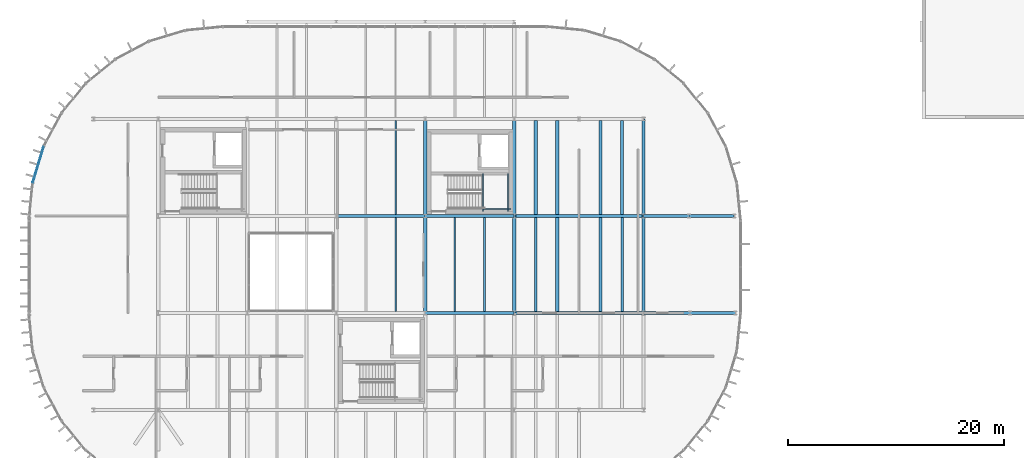
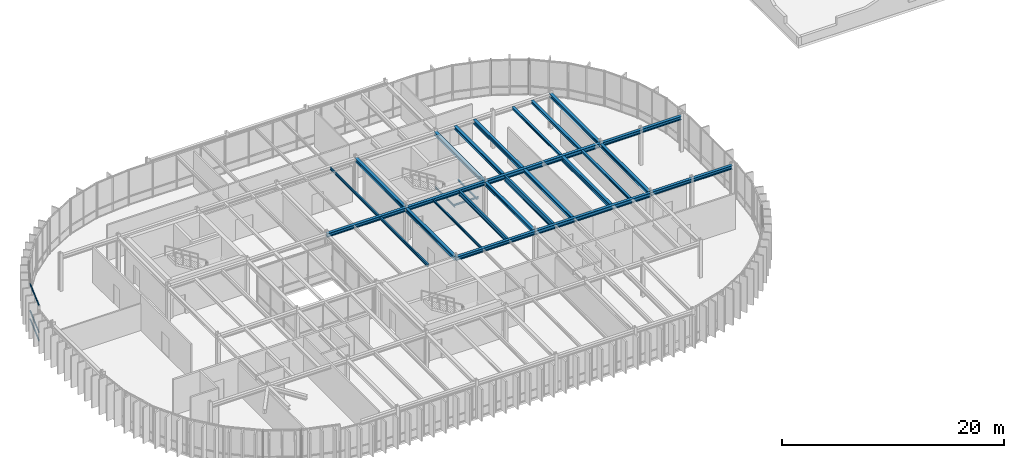
# One storey, part 11 of 27: 30 beams, 3 members, 1 element without a shape of its own.
"""IFC4 building model written with IfcOpenShell, lengths in metres."""

from ifc_helpers import new_model, si_unit, direction, frame, origin, origin_2d, place, context, subcontext, project, spatial, rectangle, i_section, extrude, material, layer, layer_set, material_profile, profile_set, type_object, element, aggregate, save


model = new_model("IFC4")

# Units and contexts
model_context = context("Model", 3, precision=1e-05, world=origin(), true_north=direction((0.0, 1.0)))
body_context = subcontext(model_context, "Body", "Model", "MODEL_VIEW")
ifc_project = project(units=[si_unit("LENGTHUNIT", "METRE"), si_unit("AREAUNIT", "SQUARE_METRE"), si_unit("VOLUMEUNIT", "CUBIC_METRE"), si_unit("PLANEANGLEUNIT", "RADIAN"), si_unit("MASSUNIT", "GRAM", prefix="KILO")], contexts=[model_context])

# Site, building, storey
site_placement = place(None, origin())
site = spatial("IfcSite", under=ifc_project, at=site_placement, CompositionType="ELEMENT")
building_placement = place(site_placement, origin())
building = spatial("IfcBuilding", under=site, at=building_placement, Name="Montealbar Specialist Clinic", CompositionType="ELEMENT")
storey_placement = place(building_placement, frame((0.0, 0.0, 18.0)))
storey = spatial("IfcBuildingStorey", under=building, at=storey_placement, Name="L04", CompositionType="ELEMENT", Elevation=18.0)

# Beams
ifc_material_1 = material(Name="Steel S355", Category="steel")
ifc_material_profile_1 = material_profile(ifc_material_1, i_section(OverallWidth=0.300048828125, OverallDepth=0.39990234375, WebThickness=0.013427734375, FlangeThickness=0.02392578125, FilletRadius=0.027099609375, at=origin_2d()), Name="HEB 400", Category="steel")
ifc_profile_set_1 = profile_set([ifc_material_profile_1], Name="Steel S355")
beam_type_1 = type_object("IfcBeamType", Name="BM-GIRD-HEB400", PredefinedType="BEAM", material=ifc_profile_set_1)
for number, where, z_axis, x_axis, name in (
    (1, (90.75, 18.0, 3.68994140625), (1.0, 0.0, 0.0), (0.0, 1.0, 0.0), "Beam GX-L04-908-990-180"),
    (2, (82.5, 27.0, 3.68994140625), (1.0, 0.0, 0.0), (0.0, 1.0, 0.0), "Beam GX-L04-825-908-270"),
    (3, (90.75, 27.0, 3.68994140625), (1.0, 0.0, 0.0), (0.0, 1.0, 0.0), "Beam GX-L04-908-990-270"),
):
    element("IfcBeam", number, at=place(storey_placement, frame(where, z_axis=z_axis, x_axis=x_axis)), inside=storey, type_object=beam_type_1, Name=name, PredefinedType="BEAM", context=body_context, shape_type="SweptSolid", body=[
        extrude(i_section(OverallWidth=0.300048828125, OverallDepth=0.39990234375, WebThickness=0.013427734375, FlangeThickness=0.02392578125, FilletRadius=0.027099609375, at=origin_2d()), origin(), (0.0, 0.0, 1.0), 8.25),
    ])
for number, where, z_axis, x_axis, name in (
    (4, (90.75, 18.0, 3.68994140625), (0.0, 1.0, 0.0), (-1.0, 0.0, 0.0), "Beam GY-L04-908-180-270"),
    (5, (90.75, 27.0, 3.68994140625), (0.0, 1.0, 0.0), (-1.0, 0.0, 0.0), "Beam GY-L04-908-270-360"),
    (6, (99.0, 18.0, 3.68994140625), (0.0, 1.0, 0.0), (-1.0, 0.0, 0.0), "Beam GY-L04-990-180-270"),
    (7, (99.0, 27.0, 3.68994140625), (0.0, 1.0, 0.0), (-1.0, 0.0, 0.0), "Beam GY-L04-990-270-360"),
):
    element("IfcBeam", number, at=place(storey_placement, frame(where, z_axis=z_axis, x_axis=x_axis)), inside=storey, type_object=beam_type_1, Name=name, PredefinedType="BEAM", context=body_context, shape_type="SweptSolid", body=[
        extrude(i_section(OverallWidth=0.300048828125, OverallDepth=0.39990234375, WebThickness=0.013427734375, FlangeThickness=0.02392578125, FilletRadius=0.027099609375, at=origin_2d()), origin(), (0.0, 0.0, 1.0), 9.0),
    ])
ifc_material_profile_2 = material_profile(ifc_material_1, i_section(OverallWidth=0.300048828125, OverallDepth=0.39990234375, WebThickness=0.013427734375, FlangeThickness=0.02392578125, FilletRadius=0.027099609375, at=origin_2d()), Name="HEB 400", Category="steel")
ifc_profile_set_2 = profile_set([ifc_material_profile_2], Name="Steel S355")
beam_type_2 = type_object("IfcBeamType", Name="BM-GIRD-HEB400-EXT", PredefinedType="BEAM", material=ifc_profile_set_2)
beam_1_placement = place(storey_placement, frame((111.0, 18.0, 3.72998046875), z_axis=(1.0, 0.0, 0.0), x_axis=(0.0, 1.0, 0.0)))
element("IfcBeam", 8, at=beam_1_placement, inside=storey, type_object=beam_type_2, Name="Beam GX-L04-1110-1153-180", PredefinedType="BEAM", context=body_context, shape_type="SweptSolid", body=[
    extrude(i_section(OverallWidth=0.300048828125, OverallDepth=0.39990234375, WebThickness=0.013427734375, FlangeThickness=0.02392578125, FilletRadius=0.027099609375, at=origin_2d()), origin(), (0.0, 0.0, 1.0), 4.300048828125),
])
for number, where, z_axis, x_axis, name in (
    (9, (115.300048828125, 18.0, 3.72998046875), (1.0, 0.0, 0.0), (0.0, 1.0, 0.0), "Beam GX-L04-1153-1195-180"),
    (10, (111.0, 27.0, 3.68994140625), (1.0, 0.0, 0.0), (0.0, 1.0, 0.0), "Beam GX-L04-1110-1152-270"),
    (11, (115.199951171875, 27.0, 3.72998046875), (1.0, 0.0, 0.0), (0.0, 1.0, 0.0), "Beam GX-L04-1152-1194-270"),
):
    element("IfcBeam", number, at=place(storey_placement, frame(where, z_axis=z_axis, x_axis=x_axis)), inside=storey, type_object=beam_type_2, Name=name, PredefinedType="BEAM", context=body_context, shape_type="SweptSolid", body=[
        extrude(i_section(OverallWidth=0.300048828125, OverallDepth=0.39990234375, WebThickness=0.013427734375, FlangeThickness=0.02392578125, FilletRadius=0.027099609375, at=origin_2d()), origin(), (0.0, 0.0, 1.0), 4.199951171875),
    ])
for number, where, z_axis, x_axis, name in (
    (12, (111.0, 18.0, 3.68994140625), (0.0, 1.0, 0.0), (-1.0, 0.0, 0.0), "Beam GY-L04-1110-180-270"),
    (13, (111.0, 27.0, 3.68994140625), (0.0, 1.0, 0.0), (-1.0, 0.0, 0.0), "Beam GY-L04-1110-270-360"),
):
    element("IfcBeam", number, at=place(storey_placement, frame(where, z_axis=z_axis, x_axis=x_axis)), inside=storey, type_object=beam_type_2, Name=name, PredefinedType="BEAM", context=body_context, shape_type="SweptSolid", body=[
        extrude(i_section(OverallWidth=0.300048828125, OverallDepth=0.39990234375, WebThickness=0.013427734375, FlangeThickness=0.02392578125, FilletRadius=0.027099609375, at=origin_2d()), origin(), (0.0, 0.0, 1.0), 9.0),
    ])
ifc_material_profile_3 = material_profile(ifc_material_1, i_section(OverallWidth=0.300048828125, OverallDepth=0.449951171875, WebThickness=0.013916015625, FlangeThickness=0.02587890625, FilletRadius=0.027099609375, at=origin_2d()), Name="HEB 450", Category="steel")
ifc_profile_set_3 = profile_set([ifc_material_profile_3], Name="Steel S355")
beam_type_3 = type_object("IfcBeamType", Name="BM-GIRD-HEB450", PredefinedType="BEAM", material=ifc_profile_set_3)
for number, where, z_axis, x_axis, name in (
    (14, (99.0, 18.0, 3.6650390625), (1.0, 0.0, 0.0), (0.0, 1.0, 0.0), "Beam GX-L04-990-1110-180"),
    (15, (99.0, 27.0, 3.6650390625), (1.0, 0.0, 0.0), (0.0, 1.0, 0.0), "Beam GX-L04-990-1110-270"),
):
    element("IfcBeam", number, at=place(storey_placement, frame(where, z_axis=z_axis, x_axis=x_axis)), inside=storey, type_object=beam_type_3, Name=name, PredefinedType="BEAM", context=body_context, shape_type="SweptSolid", body=[
        extrude(i_section(OverallWidth=0.300048828125, OverallDepth=0.449951171875, WebThickness=0.013916015625, FlangeThickness=0.02587890625, FilletRadius=0.027099609375, at=origin_2d()), origin(), (0.0, 0.0, 1.0), 12.0),
    ])
ifc_material_profile_4 = material_profile(ifc_material_1, i_section(OverallWidth=0.300048828125, OverallDepth=0.35009765625, WebThickness=0.010009765625, FlangeThickness=0.017578125, FilletRadius=0.027099609375, at=origin_2d()), Name="HEA 360", Category="steel")
ifc_profile_set_4 = profile_set([ifc_material_profile_4], Name="Steel S355")
beam_type_4 = type_object("IfcBeamType", Name="BM-JST-HEA360", PredefinedType="JOIST", material=ifc_profile_set_4)
for number, where, z_axis, x_axis, name in (
    (16, (103.0, 18.14990234375, 3.715087890625), (0.0, 1.0, 0.0), (-1.0, 0.0, 0.0), "Beam JST-L04-1030-182-268"),
    (17, (101.0, 27.14990234375, 3.715087890625), (0.0, 1.0, 0.0), (-1.0, 0.0, 0.0), "Beam JST-L04-1010-272-358"),
):
    element("IfcBeam", number, at=place(storey_placement, frame(where, z_axis=z_axis, x_axis=x_axis)), inside=storey, type_object=beam_type_4, Name=name, PredefinedType="JOIST", context=body_context, shape_type="SweptSolid", body=[
        extrude(i_section(OverallWidth=0.300048828125, OverallDepth=0.35009765625, WebThickness=0.010009765625, FlangeThickness=0.017578125, FilletRadius=0.027099609375, at=origin_2d()), origin(), (0.0, 0.0, 1.0), 8.7001953125),
    ])
ifc_material_profile_5 = material_profile(ifc_material_1, i_section(OverallWidth=0.300048828125, OverallDepth=0.43994140625, WebThickness=0.011474609375, FlangeThickness=0.02099609375, FilletRadius=0.027099609375, at=origin_2d()), Name="HEA 450", Category="steel")
ifc_profile_set_5 = profile_set([ifc_material_profile_5], Name="Steel S355")
beam_type_5 = type_object("IfcBeamType", Name="BM-JST-HEA450", PredefinedType="JOIST", material=ifc_profile_set_5)
beam_2_placement = place(storey_placement, frame((103.0, 27.14990234375, 3.669921875), z_axis=(0.0, 1.0, 0.0), x_axis=(-1.0, 0.0, 0.0)))
element("IfcBeam", 18, at=beam_2_placement, inside=storey, type_object=beam_type_5, Name="Beam JST-L04-1030-272-358", PredefinedType="JOIST", context=body_context, shape_type="SweptSolid", body=[
    extrude(i_section(OverallWidth=0.300048828125, OverallDepth=0.43994140625, WebThickness=0.011474609375, FlangeThickness=0.02099609375, FilletRadius=0.027099609375, at=origin_2d()), origin(), (0.0, 0.0, 1.0), 8.7001953125),
])
ifc_material_profile_6 = material_profile(ifc_material_1, i_section(OverallWidth=0.300048828125, OverallDepth=0.489990234375, WebThickness=0.011962890625, FlangeThickness=0.02294921875, FilletRadius=0.027099609375, at=origin_2d()), Name="HEA 500", Category="steel")
ifc_profile_set_6 = profile_set([ifc_material_profile_6], Name="Steel S355")
beam_type_6 = type_object("IfcBeamType", Name="BM-JST-HEA500", PredefinedType="JOIST", material=ifc_profile_set_6)
beam_3_placement = place(storey_placement, frame((107.0, 18.14990234375, 3.64501953125), z_axis=(0.0, 1.0, 0.0), x_axis=(-1.0, 0.0, 0.0)))
element("IfcBeam", 19, at=beam_3_placement, inside=storey, type_object=beam_type_6, Name="Beam JST-L04-1070-182-268", PredefinedType="JOIST", context=body_context, shape_type="SweptSolid", body=[
    extrude(i_section(OverallWidth=0.300048828125, OverallDepth=0.489990234375, WebThickness=0.011962890625, FlangeThickness=0.02294921875, FilletRadius=0.027099609375, at=origin_2d()), origin(), (0.0, 0.0, 1.0), 8.7001953125),
])
ifc_material_profile_7 = material_profile(ifc_material_1, i_section(OverallWidth=0.239990234375, OverallDepth=0.239990234375, WebThickness=0.010009765625, FlangeThickness=0.01708984375, FilletRadius=0.02099609375, at=origin_2d()), Name="HEB 240", Category="steel")
ifc_profile_set_7 = profile_set([ifc_material_profile_7], Name="Steel S355")
beam_type_7 = type_object("IfcBeamType", Name="BM-JST-HEB240", PredefinedType="JOIST", material=ifc_profile_set_7)
for number, where, z_axis, x_axis, name in (
    (20, (109.0, 18.14990234375, 3.77001953125), (0.0, 1.0, 0.0), (-1.0, 0.0, 0.0), "Beam JST-L04-1090-182-268"),
    (21, (107.0, 27.14990234375, 3.77001953125), (0.0, 1.0, 0.0), (-1.0, 0.0, 0.0), "Beam JST-L04-1070-272-358"),
):
    element("IfcBeam", number, at=place(storey_placement, frame(where, z_axis=z_axis, x_axis=x_axis)), inside=storey, type_object=beam_type_7, Name=name, PredefinedType="JOIST", context=body_context, shape_type="SweptSolid", body=[
        extrude(i_section(OverallWidth=0.239990234375, OverallDepth=0.239990234375, WebThickness=0.010009765625, FlangeThickness=0.01708984375, FilletRadius=0.02099609375, at=origin_2d()), origin(), (0.0, 0.0, 1.0), 8.7001953125),
    ])
ifc_material_profile_8 = material_profile(ifc_material_1, i_section(OverallWidth=0.280029296875, OverallDepth=0.280029296875, WebThickness=0.010498046875, FlangeThickness=0.01806640625, FilletRadius=0.02392578125, at=origin_2d()), Name="HEB 280", Category="steel")
ifc_profile_set_8 = profile_set([ifc_material_profile_8], Name="Steel S355")
beam_type_8 = type_object("IfcBeamType", Name="BM-JST-HEB280", PredefinedType="JOIST", material=ifc_profile_set_8)
beam_4_placement = place(storey_placement, frame((109.0, 27.14990234375, 3.75), z_axis=(0.0, 1.0, 0.0), x_axis=(-1.0, 0.0, 0.0)))
element("IfcBeam", 22, at=beam_4_placement, inside=storey, type_object=beam_type_8, Name="Beam JST-L04-1090-272-358", PredefinedType="JOIST", context=body_context, shape_type="SweptSolid", body=[
    extrude(i_section(OverallWidth=0.280029296875, OverallDepth=0.280029296875, WebThickness=0.010498046875, FlangeThickness=0.01806640625, FilletRadius=0.02392578125, at=origin_2d()), origin(), (0.0, 0.0, 1.0), 8.7001953125),
])
ifc_material_profile_9 = material_profile(ifc_material_1, i_section(OverallWidth=0.1201171875, OverallDepth=0.239990234375, WebThickness=0.006103515625, FlangeThickness=0.009765625, FilletRadius=0.014892578125, at=origin_2d()), Name="IPE 240", Category="steel")
ifc_profile_set_9 = profile_set([ifc_material_profile_9], Name="Steel S355")
beam_type_9 = type_object("IfcBeamType", Name="BM-JST-IPE240", PredefinedType="JOIST", material=ifc_profile_set_9)
beam_5_placement = place(storey_placement, frame((93.5, 18.14990234375, 3.77001953125), z_axis=(0.0, 1.0, 0.0), x_axis=(-1.0, 0.0, 0.0)))
element("IfcBeam", 23, at=beam_5_placement, inside=storey, type_object=beam_type_9, Name="Beam JST-L04-935-182-268", PredefinedType="JOIST", context=body_context, shape_type="SweptSolid", body=[
    extrude(i_section(OverallWidth=0.1201171875, OverallDepth=0.239990234375, WebThickness=0.006103515625, FlangeThickness=0.009765625, FilletRadius=0.014892578125, at=origin_2d()), origin(), (0.0, 0.0, 1.0), 8.7001953125),
])
ifc_material_profile_10 = material_profile(ifc_material_1, i_section(OverallWidth=0.135009765625, OverallDepth=0.27001953125, WebThickness=0.006591796875, FlangeThickness=0.01025390625, FilletRadius=0.014892578125, at=origin_2d()), Name="IPE 270", Category="steel")
ifc_profile_set_10 = profile_set([ifc_material_profile_10], Name="Steel S355")
beam_type_10 = type_object("IfcBeamType", Name="BM-JST-IPE270", PredefinedType="JOIST", material=ifc_profile_set_10)
beam_6_placement = place(storey_placement, frame((88.0, 27.14990234375, 3.7548828125), z_axis=(0.0, 1.0, 0.0), x_axis=(-1.0, 0.0, 0.0)))
element("IfcBeam", 24, at=beam_6_placement, inside=storey, type_object=beam_type_10, Name="Beam JST-L04-880-272-358", PredefinedType="JOIST", context=body_context, shape_type="SweptSolid", body=[
    extrude(i_section(OverallWidth=0.135009765625, OverallDepth=0.27001953125, WebThickness=0.006591796875, FlangeThickness=0.01025390625, FilletRadius=0.014892578125, at=origin_2d()), origin(), (0.0, 0.0, 1.0), 8.7001953125),
])
ifc_material_profile_11 = material_profile(ifc_material_1, i_section(OverallWidth=0.14990234375, OverallDepth=0.300048828125, WebThickness=0.007080078125, FlangeThickness=0.0107421875, FilletRadius=0.014892578125, at=origin_2d()), Name="IPE 300", Category="steel")
ifc_profile_set_11 = profile_set([ifc_material_profile_11], Name="Steel S355")
beam_type_11 = type_object("IfcBeamType", Name="BM-JST-IPE300", PredefinedType="JOIST", material=ifc_profile_set_11)
beam_7_placement = place(storey_placement, frame((88.0, 18.14990234375, 3.739990234375), z_axis=(0.0, 1.0, 0.0), x_axis=(-1.0, 0.0, 0.0)))
element("IfcBeam", 25, at=beam_7_placement, inside=storey, type_object=beam_type_11, Name="Beam JST-L04-880-182-268", PredefinedType="JOIST", context=body_context, shape_type="SweptSolid", body=[
    extrude(i_section(OverallWidth=0.14990234375, OverallDepth=0.300048828125, WebThickness=0.007080078125, FlangeThickness=0.0107421875, FilletRadius=0.014892578125, at=origin_2d()), origin(), (0.0, 0.0, 1.0), 8.7001953125),
])
ifc_material_profile_12 = material_profile(ifc_material_1, i_section(OverallWidth=0.199951171875, OverallDepth=0.5, WebThickness=0.01025390625, FlangeThickness=0.01611328125, FilletRadius=0.02099609375, at=origin_2d()), Name="IPE 500", Category="steel")
ifc_profile_set_12 = profile_set([ifc_material_profile_12], Name="Steel S355")
beam_type_12 = type_object("IfcBeamType", Name="BM-JST-IPE500", PredefinedType="JOIST", material=ifc_profile_set_12)
beam_8_placement = place(storey_placement, frame((96.25, 18.14990234375, 3.639892578125), z_axis=(0.0, 1.0, 0.0), x_axis=(-1.0, 0.0, 0.0)))
element("IfcBeam", 26, at=beam_8_placement, inside=storey, type_object=beam_type_12, Name="Beam JST-L04-962-182-268", PredefinedType="JOIST", context=body_context, shape_type="SweptSolid", body=[
    extrude(i_section(OverallWidth=0.199951171875, OverallDepth=0.5, WebThickness=0.01025390625, FlangeThickness=0.01611328125, FilletRadius=0.02099609375, at=origin_2d()), origin(), (0.0, 0.0, 1.0), 8.7001953125),
])
ifc_material_profile_13 = material_profile(ifc_material_1, i_section(OverallWidth=0.219970703125, OverallDepth=0.60009765625, WebThickness=0.011962890625, FlangeThickness=0.01904296875, FilletRadius=0.02392578125, at=origin_2d()), Name="IPE 600", Category="steel")
ifc_profile_set_13 = profile_set([ifc_material_profile_13], Name="Steel S355")
beam_type_13 = type_object("IfcBeamType", Name="BM-JST-IPE600", PredefinedType="JOIST", material=ifc_profile_set_13)
beam_9_placement = place(storey_placement, frame((101.0, 18.14990234375, 3.590087890625), z_axis=(0.0, 1.0, 0.0), x_axis=(-1.0, 0.0, 0.0)))
element("IfcBeam", 27, at=beam_9_placement, inside=storey, type_object=beam_type_13, Name="Beam JST-L04-1010-182-268", PredefinedType="JOIST", context=body_context, shape_type="SweptSolid", body=[
    extrude(i_section(OverallWidth=0.219970703125, OverallDepth=0.60009765625, WebThickness=0.011962890625, FlangeThickness=0.01904296875, FilletRadius=0.02392578125, at=origin_2d()), origin(), (0.0, 0.0, 1.0), 8.7001953125),
])
ifc_material_profile_14 = material_profile(ifc_material_1, i_section(OverallWidth=0.10009765625, OverallDepth=0.199951171875, WebThickness=0.005615234375, FlangeThickness=0.008544921875, FilletRadius=0.011962890625, at=origin_2d()), Name="IPE 200", Category="steel")
ifc_profile_set_14 = profile_set([ifc_material_profile_14], Name="Steel S355")
beam_type_14 = type_object("IfcBeamType", Name="BM-LINT-IPE200", PredefinedType="LINTEL", material=ifc_profile_set_14)
for number, where, z_axis, x_axis, name in (
    (28, (96.10498046875, 27.39990234375, 1.800048828125), (0.0, 1.0, 0.0), (-1.0, 0.0, 0.0), "Core C5 Stair Landing Beam L04 W"),
    (29, (98.429931640625, 27.39990234375, 1.800048828125), (0.0, 1.0, 0.0), (-1.0, 0.0, 0.0), "Core C5 Stair Landing Beam L04 E"),
):
    element("IfcBeam", number, at=place(storey_placement, frame(where, z_axis=z_axis, x_axis=x_axis)), inside=storey, type_object=beam_type_14, Name=name, PredefinedType="LINTEL", context=body_context, shape_type="SweptSolid", body=[
        extrude(i_section(OverallWidth=0.10009765625, OverallDepth=0.199951171875, WebThickness=0.005615234375, FlangeThickness=0.008544921875, FilletRadius=0.011962890625, at=origin_2d()), origin(), (0.0, 0.0, 1.0), 3.550048828125),
    ])
beam_10_placement = place(storey_placement, frame((96.10498046875, 27.64990234375, 1.800048828125), z_axis=(1.0, 0.0, 0.0), x_axis=(0.0, 1.0, 0.0)))
element("IfcBeam", 30, at=beam_10_placement, inside=storey, type_object=beam_type_14, Name="Core C5 Stair Landing Tie Beam L04", PredefinedType="LINTEL", context=body_context, shape_type="SweptSolid", body=[
    extrude(i_section(OverallWidth=0.10009765625, OverallDepth=0.199951171875, WebThickness=0.005615234375, FlangeThickness=0.008544921875, FilletRadius=0.011962890625, at=origin_2d()), origin(), (0.0, 0.0, 1.0), 2.594970703125),
])

# Curtain wall, members
ifc_material_2 = material(Name="Low-E double glazing", Category="glass")
ifc_layer = layer(ifc_material_2, 0.199951171875, Name="Low-E double glazing", Category="glass")
ifc_layer_set = layer_set([ifc_layer], Name="Low-E double glazing")
curtain_wall_type = type_object("IfcCurtainWallType", Name="CW-TYPE-29", PredefinedType="NOTDEFINED", material=ifc_layer_set)
curtain_wall_placement = place(storey_placement, origin())
curtain_wall = element("IfcCurtainWall", 31, at=curtain_wall_placement, inside=storey, type_object=curtain_wall_type, Name="Unitised Curtain Wall CW-L04-543-301-554-334-180", PredefinedType="NOTDEFINED")
ifc_material_3 = material(Name="Powder-coated aluminium", Category="aluminium")
ifc_material_profile_15 = material_profile(ifc_material_3, rectangle(XDim=0.070068359375, YDim=0.139892578125, at=origin_2d()), Name="ALU 70x140", Category="aluminium")
ifc_profile_set_15 = profile_set([ifc_material_profile_15], Name="Powder-coated aluminium")
member_type = type_object("IfcMemberType", Name="CW-TRN-140", PredefinedType="USERDEFINED", material=ifc_profile_set_15)
member_1_placement = place(storey_placement, frame((54.361083984375, 30.110107421875, 0.0400390625), z_axis=(0.290013326855, 0.957022606967, 0.0), x_axis=(-0.957022606967, 0.290013326855, 0.0)))
member_1 = element("IfcMember", 32, at=member_1_placement, type_object=member_type, Name="Curtain Wall Transom CW-L04-543-301-554-334-180-00", ObjectType="TRANSOM", PredefinedType="USERDEFINED", context=body_context, shape_type="SweptSolid", body=[
    extrude(rectangle(XDim=0.070068359375, YDim=0.139892578125, at=origin_2d()), origin(), (0.0, 0.0, 1.0), 3.427001953125),
])
member_2_placement = place(storey_placement, frame((54.361083984375, 30.110107421875, 0.949951171875), z_axis=(0.290013326855, 0.957022606967, 0.0), x_axis=(-0.957022606967, 0.290013326855, 0.0)))
member_2 = element("IfcMember", 33, at=member_2_placement, type_object=member_type, Name="Curtain Wall Transom CW-L04-543-301-554-334-180-01", ObjectType="TRANSOM", PredefinedType="USERDEFINED", context=body_context, shape_type="SweptSolid", body=[
    extrude(rectangle(XDim=0.070068359375, YDim=0.139892578125, at=origin_2d()), origin(), (0.0, 0.0, 1.0), 3.427001953125),
])
member_3_placement = place(storey_placement, frame((54.361083984375, 30.110107421875, 3.8798828125), z_axis=(0.290013326855, 0.957022606967, 0.0), x_axis=(-0.957022606967, 0.290013326855, 0.0)))
member_3 = element("IfcMember", 34, at=member_3_placement, type_object=member_type, Name="Curtain Wall Transom CW-L04-543-301-554-334-180-02", ObjectType="TRANSOM", PredefinedType="USERDEFINED", context=body_context, shape_type="SweptSolid", body=[
    extrude(rectangle(XDim=0.070068359375, YDim=0.139892578125, at=origin_2d()), origin(), (0.0, 0.0, 1.0), 3.427001953125),
])
aggregate(curtain_wall, [member_1, member_2, member_3])

save(model, "model.ifc")
